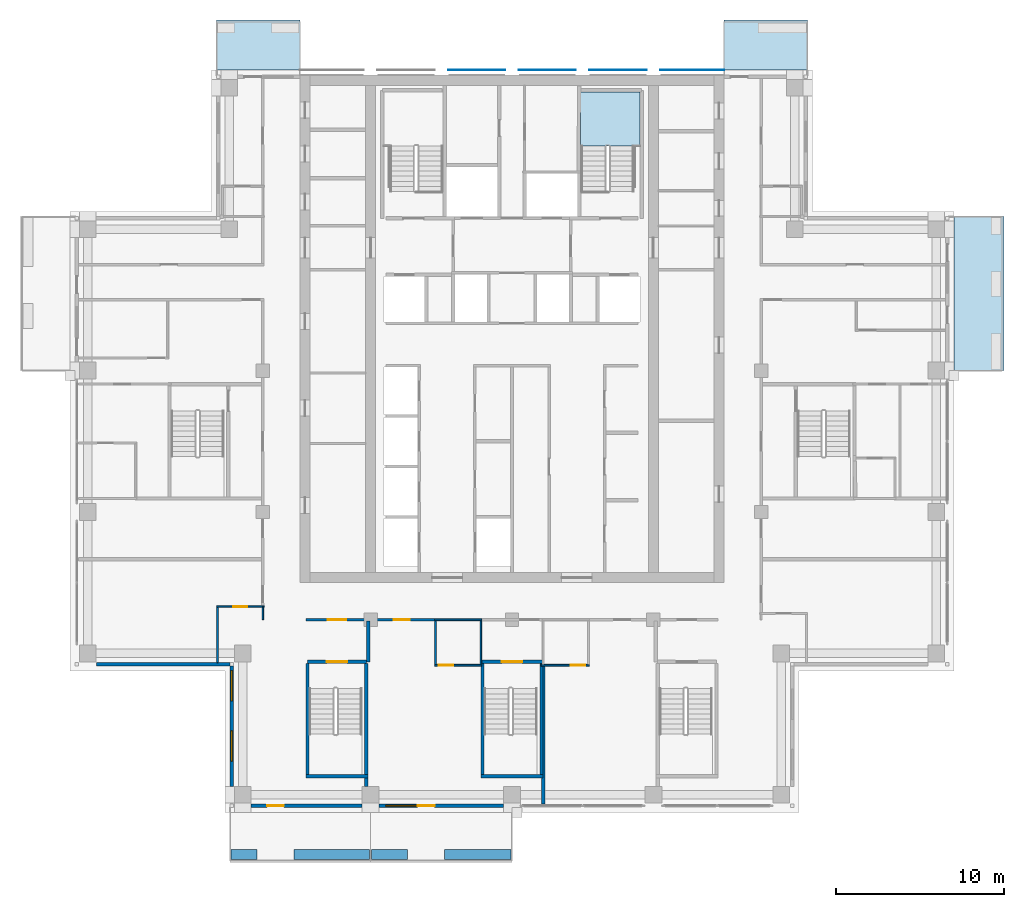
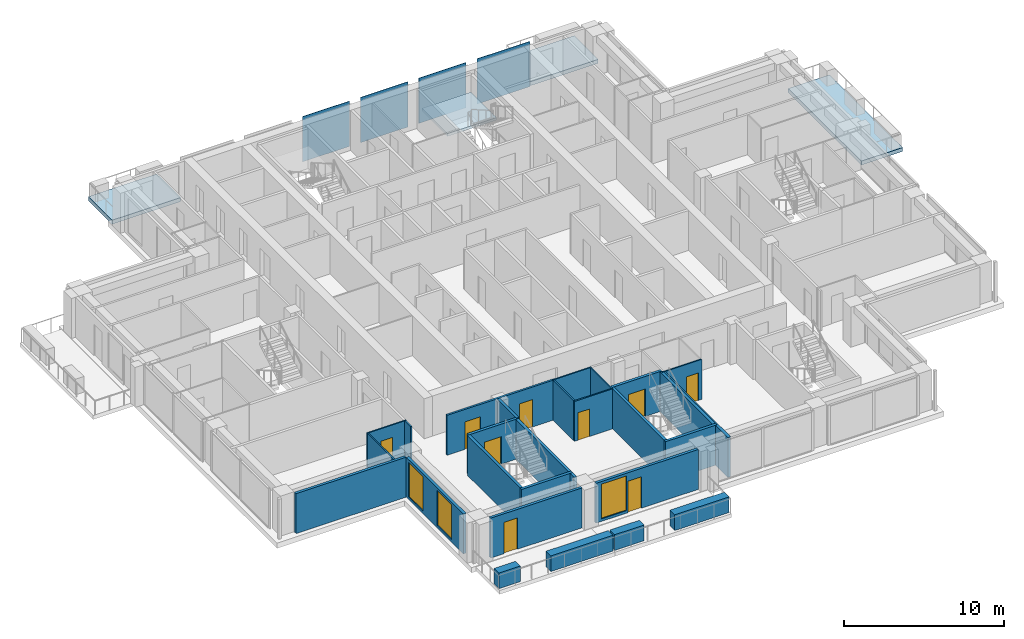
# One storey, part 6 of 15: 27 walls, 9 doors, 4 plates, 4 slabs, 3 windows, 12 openings, 1 element without a shape of its own.
"""IFC4 building model written with IfcOpenShell, lengths in metres."""

from ifc_helpers import new_model, si_unit, direction, frame, frame_2d, origin, origin_2d, place, context, subcontext, project, spatial, polyline, rectangle, outline, extrude, material, layer, layer_set, type_object, element, fill, aggregate, save


model = new_model("IFC4")

# Units and contexts
model_context = context("Model", 3, precision=1e-05, world=origin(), true_north=direction((0.0, 1.0)))
body_context = subcontext(model_context, "Body", "Model", "MODEL_VIEW")
ifc_project = project(units=[si_unit("LENGTHUNIT", "METRE"), si_unit("AREAUNIT", "SQUARE_METRE"), si_unit("VOLUMEUNIT", "CUBIC_METRE"), si_unit("PLANEANGLEUNIT", "RADIAN"), si_unit("MASSUNIT", "GRAM", prefix="KILO")], contexts=[model_context])

# Site, building, storey
site_placement = place(None, origin())
site = spatial("IfcSite", under=ifc_project, at=site_placement, CompositionType="ELEMENT")
building_placement = place(site_placement, origin())
building = spatial("IfcBuilding", under=site, at=building_placement, Name="Vermilion Ogive Tower", CompositionType="ELEMENT")
storey_placement = place(building_placement, frame((0.0, 0.0, 210.050048828125)))
storey = spatial("IfcBuildingStorey", under=building, at=storey_placement, Name="L55", CompositionType="ELEMENT", Elevation=210.050048828125)

# Slabs
ifc_material_1 = material(Name="Concrete B40", Category="concrete")
ifc_layer_1 = layer(ifc_material_1, 0.300048828125)
ifc_layer_set_1 = layer_set([ifc_layer_1], Name="Balcony slab")
slab_type_1 = type_object("IfcSlabType", Name="Balcony slab", PredefinedType="FLOOR", material=ifc_layer_set_1)
slab_1_placement = place(storey_placement, frame((0.0, 0.0, -0.340087890625)))
element("IfcSlab", 1, at=slab_1_placement, inside=storey, type_object=slab_type_1, Name="Balcony slab E03", PredefinedType="FLOOR", context=body_context, shape_type="SweptSolid", body=[
    extrude(outline(polyline([(29.22998046875, 4.199951171875), (29.22998046875, 13.35009765625), (26.25, 13.35009765625), (26.25, 4.199951171875), (29.22998046875, 4.199951171875)])), origin(), (0.0, 0.0, 1.0), 0.300048828125),
])
slab_2_placement = place(storey_placement, frame((0.0, 0.0, -0.340087890625)))
element("IfcSlab", 2, at=slab_2_placement, inside=storey, type_object=slab_type_1, Name="Balcony slab N101", PredefinedType="FLOOR", context=body_context, shape_type="SweptSolid", body=[
    extrude(outline(polyline([(17.550048828125, 25.030029296875), (12.60009765625, 25.030029296875), (12.60009765625, 22.050048828125), (17.550048828125, 22.050048828125), (17.550048828125, 25.030029296875)])), origin(), (0.0, 0.0, 1.0), 0.300048828125),
])
slab_3_placement = place(storey_placement, frame((0.0, 0.0, -0.340087890625)))
element("IfcSlab", 3, at=slab_3_placement, inside=storey, type_object=slab_type_1, Name="Balcony slab N201", PredefinedType="FLOOR", context=body_context, shape_type="SweptSolid", body=[
    extrude(outline(polyline([(-12.60009765625, 25.030029296875), (-17.550048828125, 25.030029296875), (-17.550048828125, 22.050048828125), (-12.60009765625, 22.050048828125), (-12.60009765625, 25.030029296875)])), origin(), (0.0, 0.0, 1.0), 0.300048828125),
])

# Plates
ifc_material_2 = material(Name="Low-iron laminated glazing in aluminium frame", Category="aluminium")
ifc_layer_2 = layer(ifc_material_2, 0.031982421875)
ifc_layer_set_2 = layer_set([ifc_layer_2], Name="Glazed rainscreen sheet 32")
plate_type = type_object("IfcPlateType", Name="Glazed rainscreen sheet 32", PredefinedType="SHEET", material=ifc_layer_set_2)
for number, where, z_axis, x_axis, name in (
    (4, (-2.10009765625, 22.06591796875, -0.39990234375), (0.0, 0.0, 1.0), (1.0, 0.0, 0.0), "Glazed rainscreen sheet N3"),
    (5, (2.10009765625, 22.06591796875, -0.39990234375), (0.0, 0.0, 1.0), (1.0, 0.0, 0.0), "Glazed rainscreen sheet N4"),
    (6, (6.300048828125, 22.06591796875, -0.39990234375), (0.0, 0.0, 1.0), (1.0, 0.0, 0.0), "Glazed rainscreen sheet N5"),
):
    element("IfcPlate", number, at=place(storey_placement, frame(where, z_axis=z_axis, x_axis=x_axis)), inside=storey, type_object=plate_type, Name=name, PredefinedType="SHEET", context=body_context, shape_type="SweptSolid", body=[
        extrude(rectangle(XDim=3.39990234375, YDim=0.031982421875, at=origin_2d()), origin(), (0.0, 0.0, 1.0), 3.449951171875),
    ])
plate_placement = place(storey_placement, frame((10.7099609375, 22.06591796875, -0.39990234375), z_axis=(0.0, 0.0, 1.0), x_axis=(1.0, 0.0, 0.0)))
element("IfcPlate", 7, at=plate_placement, inside=storey, type_object=plate_type, Name="Glazed rainscreen sheet N6", PredefinedType="SHEET", context=body_context, shape_type="SweptSolid", body=[
    extrude(rectangle(XDim=3.820068359375, YDim=0.031982421875, at=origin_2d()), origin(), (0.0, 0.0, 1.0), 3.449951171875),
])

# Stair, slab
ifc_material_3 = material(Name="Concrete B40", Category="concrete")
stair_type = type_object("IfcStairType", Name="Exit stair 1500", PredefinedType="HALF_TURN_STAIR", material=ifc_material_3)
stair_placement = place(storey_placement, origin())
stair = element("IfcStair", 8, at=stair_placement, inside=storey, type_object=stair_type, Name="L55 Exit Stair ST2", PredefinedType="HALF_TURN_STAIR")
ifc_material_4 = material(Name="Concrete B40", Category="concrete")
ifc_layer_3 = layer(ifc_material_4, 0.199951171875)
ifc_layer_set_3 = layer_set([ifc_layer_3], Name="Stair landing 200")
slab_type_2 = type_object("IfcSlabType", Name="Stair landing 200", PredefinedType="LANDING", material=ifc_layer_set_3)
slab_4_placement = place(storey_placement, frame((0.0, 0.0, 1.52490234375)))
slab_4 = element("IfcSlab", 9, at=slab_4_placement, type_object=slab_type_2, Name="ST2 landing 1", PredefinedType="LANDING", context=body_context, shape_type="SweptSolid", body=[
    extrude(outline(polyline([(5.60009765625, 17.550048828125), (5.75, 17.550048828125), (5.75, 17.548095703125), (7.25, 17.548095703125), (7.25, 17.550048828125), (7.60009765625, 17.550048828125), (7.60009765625, 20.75), (4.074951171875, 20.75), (4.074951171875, 17.550048828125), (4.10009765625, 17.550048828125), (4.10009765625, 17.548095703125), (5.60009765625, 17.548095703125), (5.60009765625, 17.550048828125)])), origin(), (0.0, 0.0, 1.0), 0.199951171875),
])
aggregate(stair, [slab_4])

# Wall, opening, door
ifc_material_5 = material(Name="Gypsum board partition on steel studs", Category="steel")
ifc_layer_4 = layer(ifc_material_5, 0.10009765625)
ifc_layer_set_4 = layer_set([ifc_layer_4], Name="Partition 100 bath")
wall_type_1 = type_object("IfcWallType", Name="Partition 100 bath", PredefinedType="PARTITIONING", material=ifc_layer_set_4)
wall_1_placement = place(storey_placement, frame((-4.597900390625, -13.300048828125, 0.0), z_axis=(0.0, 0.0, 1.0), x_axis=(1.0, 0.0, 0.0)))
wall_1 = element("IfcWall", 10, at=wall_1_placement, inside=storey, type_object=wall_type_1, Name="L55-W-W002", PredefinedType="PARTITIONING", context=body_context, shape_type="SweptSolid", body=[
    extrude(rectangle(XDim=2.7958984375, YDim=0.10009765625, at=frame_2d((1.39794921875, 0.0))), origin(), (0.0, 0.0, 1.0), 3.050048828125),
])
opening_1_placement = place(wall_1_placement, frame((0.247802734375, 0.0, 0.0)))
opening_1 = element("IfcOpeningElement", 11, at=opening_1_placement, cuts=wall_1, Name="Opening D4G5010", PredefinedType="OPENING", context=body_context, shape_type="SweptSolid", body=[
    extrude(rectangle(XDim=0.85009765625, YDim=2.10009765625, at=frame_2d((0.425048828125, 1.050048828125))), frame((0.0, 0.06005859375, 0.0), z_axis=(0.0, -1.0, 0.0), x_axis=(1.0, 0.0, 0.0)), (0.0, 0.0, 1.0), 0.1201171875),
])
ifc_material_6 = material(Name="Timber door leaf", Category="wood")
door_type_1 = type_object("IfcDoorType", Name="Bath door 850 x 2100 FD30", OperationType="SINGLE_SWING_LEFT", PredefinedType="DOOR", material=ifc_material_6)
door_1_placement = place(opening_1_placement, origin())
door_1 = element("IfcDoor", 12, at=door_1_placement, inside=storey, type_object=door_type_1, Name="L55-D-D010", OperationType="SINGLE_SWING_LEFT", OverallHeight=2.10009765625, OverallWidth=0.85009765625, PredefinedType="DOOR", context=body_context, shape_type="SweptSolid", body=[
    extrude(rectangle(XDim=0.85009765625, YDim=2.10009765625, at=frame_2d((0.425048828125, 1.050048828125))), frame((0.0, 0.02490234375, 0.0), z_axis=(0.0, -1.0, 0.0), x_axis=(1.0, 0.0, 0.0)), (0.0, 0.0, 1.0), 0.050048828125),
])
fill(opening_1, door_1)

wall_2_placement = place(storey_placement, frame((1.75, -13.300048828125, 0.0), z_axis=(0.0, 0.0, 1.0), x_axis=(1.0, 0.0, 0.0)))
wall_2 = element("IfcWall", 13, at=wall_2_placement, inside=storey, type_object=wall_type_1, Name="L55-W-W003", PredefinedType="PARTITIONING", context=body_context, shape_type="SweptSolid", body=[
    extrude(rectangle(XDim=2.85009765625, YDim=0.10009765625, at=frame_2d((1.425048828125, 0.0))), origin(), (0.0, 0.0, 1.0), 3.050048828125),
])
opening_2_placement = place(wall_2_placement, frame((1.75, 0.0, 0.0)))
opening_2 = element("IfcOpeningElement", 14, at=opening_2_placement, cuts=wall_2, Name="Opening D4G5012", PredefinedType="OPENING", context=body_context, shape_type="SweptSolid", body=[
    extrude(rectangle(XDim=0.85009765625, YDim=2.10009765625, at=frame_2d((0.425048828125, 1.050048828125))), frame((0.0, 0.06005859375, 0.0), z_axis=(0.0, -1.0, 0.0), x_axis=(1.0, 0.0, 0.0)), (0.0, 0.0, 1.0), 0.1201171875),
])
door_2_placement = place(opening_2_placement, origin())
door_2 = element("IfcDoor", 15, at=door_2_placement, inside=storey, type_object=door_type_1, Name="L55-D-D012", OperationType="SINGLE_SWING_RIGHT", OverallHeight=2.10009765625, OverallWidth=0.85009765625, PredefinedType="DOOR", context=body_context, shape_type="SweptSolid", body=[
    extrude(rectangle(XDim=0.85009765625, YDim=2.10009765625, at=frame_2d((0.425048828125, 1.050048828125))), frame((0.0, 0.02490234375, 0.0), z_axis=(0.0, -1.0, 0.0), x_axis=(1.0, 0.0, 0.0)), (0.0, 0.0, 1.0), 0.050048828125),
])
fill(opening_2, door_2)

# Wall
wall_3_placement = place(storey_placement, frame((-4.60009765625, -10.60009765625, 0.0), z_axis=(0.0, 0.0, 1.0), x_axis=(1.0, 0.0, 0.0)))
element("IfcWall", 16, at=wall_3_placement, inside=storey, type_object=wall_type_1, Name="L55-W-W008", PredefinedType="PARTITIONING", context=body_context, shape_type="SweptSolid", body=[
    extrude(rectangle(XDim=2.800048828125, YDim=0.10009765625, at=frame_2d((1.39990234375, 0.0))), origin(), (0.0, 0.0, 1.0), 3.050048828125),
])

# Wall, opening, door
wall_4_placement = place(storey_placement, frame((-17.550048828125, -9.820068359375, 0.0), z_axis=(0.0, 0.0, 1.0), x_axis=(1.0, 0.0, 0.0)))
wall_4 = element("IfcWall", 17, at=wall_4_placement, inside=storey, type_object=wall_type_1, Name="L55-W-W013", PredefinedType="PARTITIONING", context=body_context, shape_type="SweptSolid", body=[
    extrude(rectangle(XDim=2.824951171875, YDim=0.10009765625, at=frame_2d((1.41259765625, 0.0))), origin(), (0.0, 0.0, 1.0), 3.050048828125),
])
opening_3_placement = place(wall_4_placement, frame((0.97509765625, 0.0, 0.0)))
opening_3 = element("IfcOpeningElement", 18, at=opening_3_placement, cuts=wall_4, Name="Opening D4G5002", PredefinedType="OPENING", context=body_context, shape_type="SweptSolid", body=[
    extrude(rectangle(XDim=0.85009765625, YDim=2.10009765625, at=frame_2d((0.425048828125, 1.050048828125))), frame((0.0, 0.06005859375, 0.0), z_axis=(0.0, -1.0, 0.0), x_axis=(1.0, 0.0, 0.0)), (0.0, 0.0, 1.0), 0.1201171875),
])
door_3_placement = place(opening_3_placement, origin())
door_3 = element("IfcDoor", 19, at=door_3_placement, inside=storey, type_object=door_type_1, Name="L55-D-D002", OperationType="SINGLE_SWING_RIGHT", OverallHeight=2.10009765625, OverallWidth=0.85009765625, PredefinedType="DOOR", context=body_context, shape_type="SweptSolid", body=[
    extrude(rectangle(XDim=0.85009765625, YDim=2.10009765625, at=frame_2d((0.425048828125, 1.050048828125))), frame((0.0, 0.02490234375, 0.0), z_axis=(0.0, -1.0, 0.0), x_axis=(1.0, 0.0, 0.0)), (0.0, 0.0, 1.0), 0.050048828125),
])
fill(opening_3, door_3)

# Walls
wall_5_placement = place(storey_placement, frame((-17.5, -13.14990234375, 0.0), z_axis=(0.0, 0.0, 1.0), x_axis=(0.0, 1.0, 0.0)))
element("IfcWall", 20, at=wall_5_placement, inside=storey, type_object=wall_type_1, Name="L55-W-W042", PredefinedType="PARTITIONING", context=body_context, shape_type="SweptSolid", body=[
    extrude(rectangle(XDim=3.27978515625, YDim=0.10009765625, at=frame_2d((1.639892578125, 0.0))), origin(), (0.0, 0.0, 1.0), 3.050048828125),
])
wall_6_placement = place(storey_placement, frame((-14.800048828125, -10.60009765625, 0.0), z_axis=(0.0, 0.0, 1.0), x_axis=(0.0, 1.0, 0.0)))
element("IfcWall", 21, at=wall_6_placement, inside=storey, type_object=wall_type_1, Name="L55-W-W045", PredefinedType="PARTITIONING", context=body_context, shape_type="SweptSolid", body=[
    extrude(rectangle(XDim=0.72998046875, YDim=0.10009765625, at=frame_2d((0.364990234375, 0.0))), origin(), (0.0, 0.0, 1.0), 3.050048828125),
])
for number, where, z_axis, x_axis, name in (
    (22, (-4.550048828125, -13.248046875, 0.0), (0.0, 0.0, 1.0), (0.0, 1.0, 0.0), "L55-W-W051"),
    (23, (-1.85009765625, -13.248046875, 0.0), (0.0, 0.0, 1.0), (0.0, 1.0, 0.0), "L55-W-W052"),
):
    element("IfcWall", number, at=place(storey_placement, frame(where, z_axis=z_axis, x_axis=x_axis)), inside=storey, type_object=wall_type_1, Name=name, PredefinedType="PARTITIONING", context=body_context, shape_type="SweptSolid", body=[
        extrude(rectangle(XDim=2.572998046875, YDim=0.10009765625, at=frame_2d((1.28662109375, 0.0))), origin(), (0.0, 0.0, 1.0), 3.050048828125),
    ])

# Wall, openings, doors
ifc_material_7 = material(Name="Gypsum board partition on steel studs", Category="steel")
ifc_layer_5 = layer(ifc_material_7, 0.14990234375)
ifc_layer_set_5 = layer_set([ifc_layer_5], Name="Partition 150 corridor")
wall_type_2 = type_object("IfcWallType", Name="Partition 150 corridor", PredefinedType="PARTITIONING", material=ifc_layer_set_5)
wall_7_placement = place(storey_placement, frame((-12.25, -10.60009765625, 0.0), z_axis=(0.0, 0.0, 1.0), x_axis=(1.0, 0.0, 0.0)))
wall_7 = element("IfcWall", 24, at=wall_7_placement, inside=storey, type_object=wall_type_2, Name="L55-W-W007", PredefinedType="PARTITIONING", context=body_context, shape_type="SweptSolid", body=[
    extrude(rectangle(XDim=7.75, YDim=0.14990234375, at=frame_2d((3.875, 0.0))), origin(), (0.0, 0.0, 1.0), 3.050048828125),
])
opening_4_placement = place(wall_7_placement, frame((5.22509765625, 0.0, 0.0)))
opening_4 = element("IfcOpeningElement", 25, at=opening_4_placement, cuts=wall_7, Name="Opening D4G5009", PredefinedType="OPENING", context=body_context, shape_type="SweptSolid", body=[
    extrude(rectangle(XDim=0.949951171875, YDim=2.10009765625, at=frame_2d((0.47509765625, 1.050048828125))), frame((0.0, 0.0849609375, 0.0), z_axis=(0.0, -1.0, 0.0), x_axis=(1.0, 0.0, 0.0)), (0.0, 0.0, 1.0), 0.169921875),
])
opening_5_placement = place(wall_7_placement, frame((1.300048828125, 0.0, 0.0)))
opening_5 = element("IfcOpeningElement", 26, at=opening_5_placement, cuts=wall_7, Name="Opening D4G5022", PredefinedType="OPENING", context=body_context, shape_type="SweptSolid", body=[
    extrude(rectangle(XDim=1.10009765625, YDim=2.10009765625, at=frame_2d((0.550048828125, 1.050048828125))), frame((0.0, 0.0849609375, 0.0), z_axis=(0.0, -1.0, 0.0), x_axis=(1.0, 0.0, 0.0)), (0.0, 0.0, 1.0), 0.169921875),
])
ifc_material_8 = material(Name="Timber door leaf", Category="wood")
door_type_2 = type_object("IfcDoorType", Name="Stair door 1100 x 2100 FD60S", OperationType="SINGLE_SWING_LEFT", PredefinedType="DOOR", material=ifc_material_8)
door_4_placement = place(opening_5_placement, origin())
door_4 = element("IfcDoor", 27, at=door_4_placement, inside=storey, type_object=door_type_2, Name="L55-D-D022", OperationType="SINGLE_SWING_RIGHT", OverallHeight=2.10009765625, OverallWidth=1.10009765625, PredefinedType="DOOR", context=body_context, shape_type="SweptSolid", body=[
    extrude(rectangle(XDim=1.10009765625, YDim=2.10009765625, at=frame_2d((0.550048828125, 1.050048828125))), frame((0.0, 0.02490234375, 0.0), z_axis=(0.0, -1.0, 0.0), x_axis=(1.0, 0.0, 0.0)), (0.0, 0.0, 1.0), 0.050048828125),
])
fill(opening_5, door_4)
ifc_material_9 = material(Name="Timber door leaf", Category="wood")
door_type_3 = type_object("IfcDoorType", Name="Unit door 950 x 2100 FD30S", OperationType="SINGLE_SWING_LEFT", PredefinedType="DOOR", material=ifc_material_9)
door_5_placement = place(opening_4_placement, origin())
door_5 = element("IfcDoor", 28, at=door_5_placement, inside=storey, type_object=door_type_3, Name="L55-D-D009", OperationType="SINGLE_SWING_LEFT", OverallHeight=2.10009765625, OverallWidth=0.949951171875, PredefinedType="DOOR", context=body_context, shape_type="SweptSolid", body=[
    extrude(rectangle(XDim=0.949951171875, YDim=2.10009765625, at=frame_2d((0.47509765625, 1.050048828125))), frame((0.0, 0.02490234375, 0.0), z_axis=(0.0, -1.0, 0.0), x_axis=(1.0, 0.0, 0.0)), (0.0, 0.0, 1.0), 0.050048828125),
])
fill(opening_4, door_5)

# Walls
ifc_material_10 = material(Name="Gypsum board partition on steel studs", Category="steel")
ifc_layer_6 = layer(ifc_material_10, 0.199951171875)
ifc_layer_set_6 = layer_set([ifc_layer_6], Name="Partition 200 party")
wall_type_3 = type_object("IfcWallType", Name="Partition 200 party", PredefinedType="PARTITIONING", material=ifc_layer_set_6)
wall_8_placement = place(storey_placement, frame((-8.550048828125, -13.10009765625, 0.0), z_axis=(0.0, 0.0, 1.0), x_axis=(0.0, 1.0, 0.0)))
element("IfcWall", 29, at=wall_8_placement, inside=storey, type_object=wall_type_3, Name="L55-W-W050", PredefinedType="PARTITIONING", context=body_context, shape_type="SweptSolid", body=[
    extrude(rectangle(XDim=2.425048828125, YDim=0.199951171875, at=frame_2d((1.21240234375, 0.0))), origin(), (0.0, 0.0, 1.0), 3.050048828125),
])
ifc_material_11 = material(Name="Concrete B60", Category="concrete")
ifc_layer_7 = layer(ifc_material_11, 0.199951171875)
ifc_layer_set_7 = layer_set([ifc_layer_7], Name="Stair shaft wall 200 Concrete B60")
wall_type_4 = type_object("IfcWallType", Name="Stair shaft wall 200 Concrete B60", PredefinedType="SOLIDWALL", material=ifc_layer_set_7)
wall_9_placement = place(storey_placement, frame((-1.847900390625, -19.89990234375, 0.0), z_axis=(0.0, 0.0, 1.0), x_axis=(1.0, 0.0, 0.0)))
element("IfcWall", 30, at=wall_9_placement, inside=storey, type_object=wall_type_4, Name="L55-W-W001", PredefinedType="SOLIDWALL", context=body_context, shape_type="SweptSolid", body=[
    extrude(rectangle(XDim=3.69580078125, YDim=0.199951171875, at=frame_2d((1.847900390625, 0.0))), origin(), (0.0, 0.0, 1.0), 3.050048828125),
])

# Wall, opening, door
wall_10_placement = place(storey_placement, frame((-12.14990234375, -13.10009765625, 0.0), z_axis=(0.0, 0.0, 1.0), x_axis=(1.0, 0.0, 0.0)))
wall_10 = element("IfcWall", 31, at=wall_10_placement, inside=storey, type_object=wall_type_4, Name="L55-W-W004", PredefinedType="SOLIDWALL", context=body_context, shape_type="SweptSolid", body=[
    extrude(rectangle(XDim=3.5, YDim=0.199951171875, at=frame_2d((1.75, 0.0))), origin(), (0.0, 0.0, 1.0), 3.050048828125),
])
opening_6_placement = place(wall_10_placement, frame((1.14990234375, 0.0, 0.0)))
opening_6 = element("IfcOpeningElement", 32, at=opening_6_placement, cuts=wall_10, Name="Opening D4G5023", PredefinedType="OPENING", context=body_context, shape_type="SweptSolid", body=[
    extrude(rectangle(XDim=1.199951171875, YDim=2.10009765625, at=frame_2d((0.60009765625, 1.050048828125))), frame((0.0, 0.10986328125, 0.0), z_axis=(0.0, -1.0, 0.0), x_axis=(1.0, 0.0, 0.0)), (0.0, 0.0, 1.0), 0.219970703125),
])
ifc_material_12 = material(Name="Timber door leaf", Category="wood")
door_type_4 = type_object("IfcDoorType", Name="Stair door 1200 x 2100 FD60S", OperationType="SINGLE_SWING_LEFT", PredefinedType="DOOR", material=ifc_material_12)
door_6_placement = place(opening_6_placement, origin())
door_6 = element("IfcDoor", 33, at=door_6_placement, inside=storey, type_object=door_type_4, Name="L55-D-D023", OperationType="SINGLE_SWING_RIGHT", OverallHeight=2.10009765625, OverallWidth=1.199951171875, PredefinedType="DOOR", context=body_context, shape_type="SweptSolid", body=[
    extrude(rectangle(XDim=1.199951171875, YDim=2.10009765625, at=frame_2d((0.60009765625, 1.050048828125))), frame((0.0, 0.02490234375, 0.0), z_axis=(0.0, -1.0, 0.0), x_axis=(1.0, 0.0, 0.0)), (0.0, 0.0, 1.0), 0.050048828125),
])
fill(opening_6, door_6)

wall_11_placement = place(storey_placement, frame((-1.798095703125, -13.10009765625, 0.0), z_axis=(0.0, 0.0, 1.0), x_axis=(1.0, 0.0, 0.0)))
wall_11 = element("IfcWall", 34, at=wall_11_placement, inside=storey, type_object=wall_type_4, Name="L55-W-W005", PredefinedType="SOLIDWALL", context=body_context, shape_type="SweptSolid", body=[
    extrude(rectangle(XDim=3.59619140625, YDim=0.199951171875, at=frame_2d((1.798095703125, 0.0))), origin(), (0.0, 0.0, 1.0), 3.050048828125),
])
opening_7_placement = place(wall_11_placement, frame((1.197998046875, 0.0, 0.0)))
opening_7 = element("IfcOpeningElement", 35, at=opening_7_placement, cuts=wall_11, Name="Opening D4G5025", PredefinedType="OPENING", context=body_context, shape_type="SweptSolid", body=[
    extrude(rectangle(XDim=1.199951171875, YDim=2.10009765625, at=frame_2d((0.60009765625, 1.050048828125))), frame((0.0, 0.10986328125, 0.0), z_axis=(0.0, -1.0, 0.0), x_axis=(1.0, 0.0, 0.0)), (0.0, 0.0, 1.0), 0.219970703125),
])
door_7_placement = place(opening_7_placement, origin())
door_7 = element("IfcDoor", 36, at=door_7_placement, inside=storey, type_object=door_type_4, Name="L55-D-D025", OperationType="SINGLE_SWING_RIGHT", OverallHeight=2.10009765625, OverallWidth=1.199951171875, PredefinedType="DOOR", context=body_context, shape_type="SweptSolid", body=[
    extrude(rectangle(XDim=1.199951171875, YDim=2.10009765625, at=frame_2d((0.60009765625, 1.050048828125))), frame((0.0, 0.02490234375, 0.0), z_axis=(0.0, -1.0, 0.0), x_axis=(1.0, 0.0, 0.0)), (0.0, 0.0, 1.0), 0.050048828125),
])
fill(opening_7, door_7)

# Walls
for number, where, z_axis, x_axis, name in (
    (37, (-1.75, -19.798095703125, 0.0), (0.0, 0.0, 1.0), (0.0, 1.0, 0.0), "L55-W-W053"),
    (38, (1.75, -19.798095703125, 0.0), (0.0, 0.0, 1.0), (0.0, 1.0, 0.0), "L55-W-W054"),
):
    element("IfcWall", number, at=place(storey_placement, frame(where, z_axis=z_axis, x_axis=x_axis)), inside=storey, type_object=wall_type_4, Name=name, PredefinedType="SOLIDWALL", context=body_context, shape_type="SweptSolid", body=[
        extrude(rectangle(XDim=6.59619140625, YDim=0.199951171875, at=frame_2d((3.298095703125, 0.0))), origin(), (0.0, 0.0, 1.0), 3.050048828125),
    ])
wall_12_placement = place(storey_placement, frame((-12.25, -19.89990234375, 0.0), z_axis=(0.0, 0.0, 1.0), x_axis=(1.0, 0.0, 0.0)))
element("IfcWall", 39, at=wall_12_placement, inside=storey, type_object=wall_type_4, Name="L55-SW-ST3-S1", PredefinedType="SOLIDWALL", context=body_context, shape_type="SweptSolid", body=[
    extrude(rectangle(XDim=3.699951171875, YDim=0.199951171875, at=frame_2d((1.85009765625, 0.0))), origin(), (0.0, 0.0, 1.0), 3.050048828125),
])
wall_13_placement = place(storey_placement, frame((-12.14990234375, -19.800048828125, 0.0), z_axis=(0.0, 0.0, 1.0), x_axis=(0.0, 1.0, 0.0)))
element("IfcWall", 40, at=wall_13_placement, inside=storey, type_object=wall_type_4, Name="L55-SW-ST3-W1", PredefinedType="SOLIDWALL", context=body_context, shape_type="SweptSolid", body=[
    extrude(rectangle(XDim=6.60009765625, YDim=0.199951171875, at=frame_2d((3.300048828125, 0.0))), origin(), (0.0, 0.0, 1.0), 3.050048828125),
])
wall_14_placement = place(storey_placement, frame((-8.64990234375, -20.5, 0.0), z_axis=(0.0, 0.0, 1.0), x_axis=(0.0, 1.0, 0.0)))
element("IfcWall", 41, at=wall_14_placement, inside=storey, type_object=wall_type_4, Name="L55-SW-ST3-E1-A", PredefinedType="SOLIDWALL", context=body_context, shape_type="SweptSolid", body=[
    extrude(rectangle(XDim=7.300048828125, YDim=0.199951171875, at=frame_2d((3.64990234375, 0.0))), origin(), (0.0, 0.0, 1.0), 3.050048828125),
])
wall_15_placement = place(storey_placement, frame((1.85009765625, -21.550048828125, 0.0), z_axis=(0.0, 0.0, 1.0), x_axis=(0.0, 1.0, 0.0)))
element("IfcWall", 42, at=wall_15_placement, inside=storey, type_object=wall_type_4, Name="L55-W-W055-A", PredefinedType="SOLIDWALL", context=body_context, shape_type="SweptSolid", body=[
    extrude(rectangle(XDim=8.199951171875, YDim=0.199951171875, at=frame_2d((4.10009765625, 0.0))), origin(), (0.0, 0.0, 1.0), 3.050048828125),
])
ifc_material_13 = material(Name="Concrete B40", Category="concrete")
ifc_layer_8 = layer(ifc_material_13, 0.60009765625)
ifc_layer_set_8 = layer_set([ifc_layer_8], Name="Structural planter")
wall_type_5 = type_object("IfcWallType", Name="Structural planter", PredefinedType="USERDEFINED", material=ifc_layer_set_8)
wall_16_placement = place(storey_placement, frame((-16.68994140625, -24.550048828125, -0.0400390625), z_axis=(0.0, 0.0, 1.0), x_axis=(1.0, 0.0, 0.0)))
element("IfcWall", 43, at=wall_16_placement, inside=storey, type_object=wall_type_5, Name="Planter S01A1", ObjectType="PLANTER", PredefinedType="USERDEFINED", context=body_context, shape_type="SweptSolid", body=[
    extrude(rectangle(XDim=1.5400390625, YDim=0.60009765625, at=frame_2d((0.77001953125, 0.0))), origin(), (0.0, 0.0, 1.0), 1.199951171875),
])
wall_17_placement = place(storey_placement, frame((-12.949951171875, -24.550048828125, -0.0400390625), z_axis=(0.0, 0.0, 1.0), x_axis=(1.0, 0.0, 0.0)))
element("IfcWall", 44, at=wall_17_placement, inside=storey, type_object=wall_type_5, Name="Planter S01A2", ObjectType="PLANTER", PredefinedType="USERDEFINED", context=body_context, shape_type="SweptSolid", body=[
    extrude(rectangle(XDim=4.489990234375, YDim=0.60009765625, at=frame_2d((2.2451171875, 0.0))), origin(), (0.0, 0.0, 1.0), 1.199951171875),
])
wall_18_placement = place(storey_placement, frame((-8.340087890625, -24.550048828125, -0.0400390625), z_axis=(0.0, 0.0, 1.0), x_axis=(1.0, 0.0, 0.0)))
element("IfcWall", 45, at=wall_18_placement, inside=storey, type_object=wall_type_5, Name="Planter S02A1", ObjectType="PLANTER", PredefinedType="USERDEFINED", context=body_context, shape_type="SweptSolid", body=[
    extrude(rectangle(XDim=2.14013671875, YDim=0.60009765625, at=frame_2d((1.070068359375, 0.0))), origin(), (0.0, 0.0, 1.0), 1.199951171875),
])
wall_19_placement = place(storey_placement, frame((-4.0, -24.550048828125, -0.0400390625), z_axis=(0.0, 0.0, 1.0), x_axis=(1.0, 0.0, 0.0)))
element("IfcWall", 46, at=wall_19_placement, inside=storey, type_object=wall_type_5, Name="Planter S02A2", ObjectType="PLANTER", PredefinedType="USERDEFINED", context=body_context, shape_type="SweptSolid", body=[
    extrude(rectangle(XDim=3.93994140625, YDim=0.60009765625, at=frame_2d((1.969970703125, 0.0))), origin(), (0.0, 0.0, 1.0), 1.199951171875),
])

# Wall, opening, door
ifc_material_14 = material(Name="Aluminium window wall framing", Category="aluminium")
ifc_layer_9 = layer(ifc_material_14, 0.199951171875)
ifc_layer_set_9 = layer_set([ifc_layer_9], Name="Window wall")
wall_type_6 = type_object("IfcWallType", Name="Window wall", PredefinedType="STANDARD", material=ifc_layer_set_9)
wall_20_placement = place(storey_placement, frame((-15.5, -21.64990234375, 0.0), z_axis=(0.0, 0.0, 1.0), x_axis=(1.0, 0.0, 0.0)))
wall_20 = element("IfcWall", 47, at=wall_20_placement, inside=storey, type_object=wall_type_6, Name="Window wall S1", PredefinedType="STANDARD", context=body_context, shape_type="SweptSolid", body=[
    extrude(rectangle(XDim=6.60009765625, YDim=0.199951171875, at=frame_2d((3.300048828125, 0.0))), origin(), (0.0, 0.0, 1.0), 3.050048828125),
])
opening_8_placement = place(wall_20_placement, frame((0.949951171875, 0.0, 0.0)))
opening_8 = element("IfcOpeningElement", 48, at=opening_8_placement, cuts=wall_20, Name="Opening D1-S96K", PredefinedType="OPENING", context=body_context, shape_type="SweptSolid", body=[
    extrude(rectangle(XDim=1.0, YDim=2.39990234375, at=frame_2d((0.5, 1.199951171875))), frame((0.0, 0.10986328125, 0.0), z_axis=(0.0, -1.0, 0.0), x_axis=(1.0, 0.0, 0.0)), (0.0, 0.0, 1.0), 0.219970703125),
])
ifc_material_15 = material(Name="Aluminium framed glazed door", Category="aluminium")
door_type_5 = type_object("IfcDoorType", Name="Balcony door D1", OperationType="SINGLE_SWING_LEFT", PredefinedType="DOOR", material=ifc_material_15)
door_8_placement = place(opening_8_placement, origin())
door_8 = element("IfcDoor", 49, at=door_8_placement, inside=storey, type_object=door_type_5, Name="Balcony door S96K", OperationType="SINGLE_SWING_LEFT", OverallHeight=2.39990234375, OverallWidth=1.0, PredefinedType="DOOR", context=body_context, shape_type="SweptSolid", body=[
    extrude(rectangle(XDim=1.0, YDim=2.39990234375, at=frame_2d((0.5, 1.199951171875))), frame((0.0, 0.02490234375, 0.0), z_axis=(0.0, -1.0, 0.0), x_axis=(1.0, 0.0, 0.0)), (0.0, 0.0, 1.0), 0.050048828125),
])
fill(opening_8, door_8)

# Wall, openings, door, window
wall_21_placement = place(storey_placement, frame((-7.89990234375, -21.64990234375, 0.0), z_axis=(0.0, 0.0, 1.0), x_axis=(1.0, 0.0, 0.0)))
wall_21 = element("IfcWall", 50, at=wall_21_placement, inside=storey, type_object=wall_type_6, Name="Window wall S2", PredefinedType="STANDARD", context=body_context, shape_type="SweptSolid", body=[
    extrude(rectangle(XDim=7.39990234375, YDim=0.199951171875, at=frame_2d((3.699951171875, 0.0))), origin(), (0.0, 0.0, 1.0), 3.050048828125),
])
opening_9_placement = place(wall_21_placement, frame((0.39990234375, 0.0, 0.199951171875)))
opening_9 = element("IfcOpeningElement", 51, at=opening_9_placement, cuts=wall_21, Name="Opening W1-S98", PredefinedType="OPENING", context=body_context, shape_type="SweptSolid", body=[
    extrude(rectangle(XDim=1.800048828125, YDim=2.64990234375, at=frame_2d((0.89990234375, 1.324951171875))), frame((0.0, 0.10986328125, 0.0), z_axis=(0.0, -1.0, 0.0), x_axis=(1.0, 0.0, 0.0)), (0.0, 0.0, 1.0), 0.219970703125),
])
opening_10_placement = place(wall_21_placement, frame((2.300048828125, 0.0, 0.0)))
opening_10 = element("IfcOpeningElement", 52, at=opening_10_placement, cuts=wall_21, Name="Opening D1-S98", PredefinedType="OPENING", context=body_context, shape_type="SweptSolid", body=[
    extrude(rectangle(XDim=1.0, YDim=2.39990234375, at=frame_2d((0.5, 1.199951171875))), frame((0.0, 0.10986328125, 0.0), z_axis=(0.0, -1.0, 0.0), x_axis=(1.0, 0.0, 0.0)), (0.0, 0.0, 1.0), 0.219970703125),
])
door_9_placement = place(opening_10_placement, origin())
door_9 = element("IfcDoor", 53, at=door_9_placement, inside=storey, type_object=door_type_5, Name="Balcony door S98", OperationType="SINGLE_SWING_LEFT", OverallHeight=2.39990234375, OverallWidth=1.0, PredefinedType="DOOR", context=body_context, shape_type="SweptSolid", body=[
    extrude(rectangle(XDim=1.0, YDim=2.39990234375, at=frame_2d((0.5, 1.199951171875))), frame((0.0, 0.02490234375, 0.0), z_axis=(0.0, -1.0, 0.0), x_axis=(1.0, 0.0, 0.0)), (0.0, 0.0, 1.0), 0.050048828125),
])
fill(opening_10, door_9)
ifc_material_16 = material(Name="Aluminium framed double glazing", Category="aluminium")
window_type = type_object("IfcWindowType", Name="Guest window W1", PartitioningType="SINGLE_PANEL", PredefinedType="WINDOW", material=ifc_material_16)
window_1_placement = place(opening_9_placement, origin())
window_1 = element("IfcWindow", 54, at=window_1_placement, inside=storey, type_object=window_type, Name="Window S98", OverallHeight=2.64990234375, OverallWidth=1.800048828125, PartitioningType="SINGLE_PANEL", PredefinedType="WINDOW", context=body_context, shape_type="SweptSolid", body=[
    extrude(rectangle(XDim=1.800048828125, YDim=2.64990234375, at=frame_2d((0.89990234375, 1.324951171875))), frame((0.0, 0.030029296875, 0.0), z_axis=(0.0, -1.0, 0.0), x_axis=(1.0, 0.0, 0.0)), (0.0, 0.0, 1.0), 0.06005859375),
])
fill(opening_9, window_1)

# Wall
wall_22_placement = place(storey_placement, frame((-24.699951171875, -13.25, 0.0), z_axis=(0.0, 0.0, 1.0), x_axis=(1.0, 0.0, 0.0)))
element("IfcWall", 55, at=wall_22_placement, inside=storey, type_object=wall_type_6, Name="Window wall X71", PredefinedType="STANDARD", context=body_context, shape_type="SweptSolid", body=[
    extrude(rectangle(XDim=7.949951171875, YDim=0.199951171875, at=frame_2d((3.97509765625, 0.0))), origin(), (0.0, 0.0, 1.0), 3.050048828125),
])

# Wall, openings, windows
wall_23_placement = place(storey_placement, frame((-16.64990234375, -13.35009765625, 0.0), z_axis=(0.0, 0.0, 1.0), x_axis=(0.0, -1.0, 0.0)))
wall_23 = element("IfcWall", 56, at=wall_23_placement, inside=storey, type_object=wall_type_6, Name="Window wall X81", PredefinedType="STANDARD", context=body_context, shape_type="SweptSolid", body=[
    extrude(rectangle(XDim=7.14990234375, YDim=0.199951171875, at=frame_2d((3.574951171875, 0.0))), origin(), (0.0, 0.0, 1.0), 3.050048828125),
])
opening_11_placement = place(wall_23_placement, frame((3.85009765625, 0.0, 0.199951171875)))
opening_11 = element("IfcOpeningElement", 57, at=opening_11_placement, cuts=wall_23, Name="Opening W1-X895", PredefinedType="OPENING", context=body_context, shape_type="SweptSolid", body=[
    extrude(rectangle(XDim=1.800048828125, YDim=2.64990234375, at=frame_2d((0.89990234375, 1.324951171875))), frame((0.0, 0.10986328125, 0.0), z_axis=(0.0, -1.0, 0.0), x_axis=(1.0, 0.0, 0.0)), (0.0, 0.0, 1.0), 0.219970703125),
])
opening_12_placement = place(wall_23_placement, frame((0.27490234375, 0.0, 0.199951171875)))
opening_12 = element("IfcOpeningElement", 58, at=opening_12_placement, cuts=wall_23, Name="Opening W1-X896", PredefinedType="OPENING", context=body_context, shape_type="SweptSolid", body=[
    extrude(rectangle(XDim=1.800048828125, YDim=2.64990234375, at=frame_2d((0.89990234375, 1.324951171875))), frame((0.0, 0.10986328125, 0.0), z_axis=(0.0, -1.0, 0.0), x_axis=(1.0, 0.0, 0.0)), (0.0, 0.0, 1.0), 0.219970703125),
])
window_2_placement = place(opening_11_placement, origin())
window_2 = element("IfcWindow", 59, at=window_2_placement, inside=storey, type_object=window_type, Name="Window X895", OverallHeight=2.64990234375, OverallWidth=1.800048828125, PartitioningType="SINGLE_PANEL", PredefinedType="WINDOW", context=body_context, shape_type="SweptSolid", body=[
    extrude(rectangle(XDim=1.800048828125, YDim=2.64990234375, at=frame_2d((0.89990234375, 1.324951171875))), frame((0.0, 0.030029296875, 0.0), z_axis=(0.0, -1.0, 0.0), x_axis=(1.0, 0.0, 0.0)), (0.0, 0.0, 1.0), 0.06005859375),
])
fill(opening_11, window_2)
window_3_placement = place(opening_12_placement, origin())
window_3 = element("IfcWindow", 60, at=window_3_placement, inside=storey, type_object=window_type, Name="Window X896", OverallHeight=2.64990234375, OverallWidth=1.800048828125, PartitioningType="SINGLE_PANEL", PredefinedType="WINDOW", context=body_context, shape_type="SweptSolid", body=[
    extrude(rectangle(XDim=1.800048828125, YDim=2.64990234375, at=frame_2d((0.89990234375, 1.324951171875))), frame((0.0, 0.030029296875, 0.0), z_axis=(0.0, -1.0, 0.0), x_axis=(1.0, 0.0, 0.0)), (0.0, 0.0, 1.0), 0.06005859375),
])
fill(opening_12, window_3)

save(model, "model.ifc")
